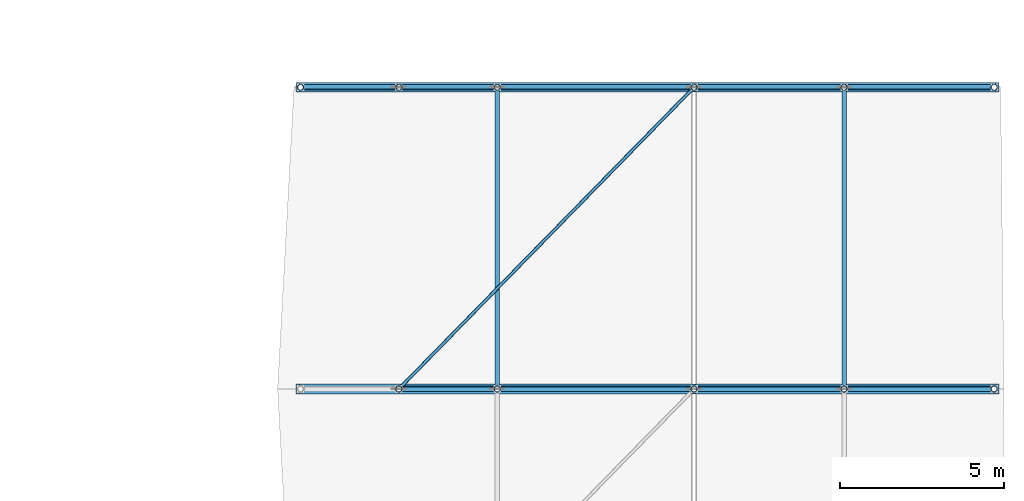
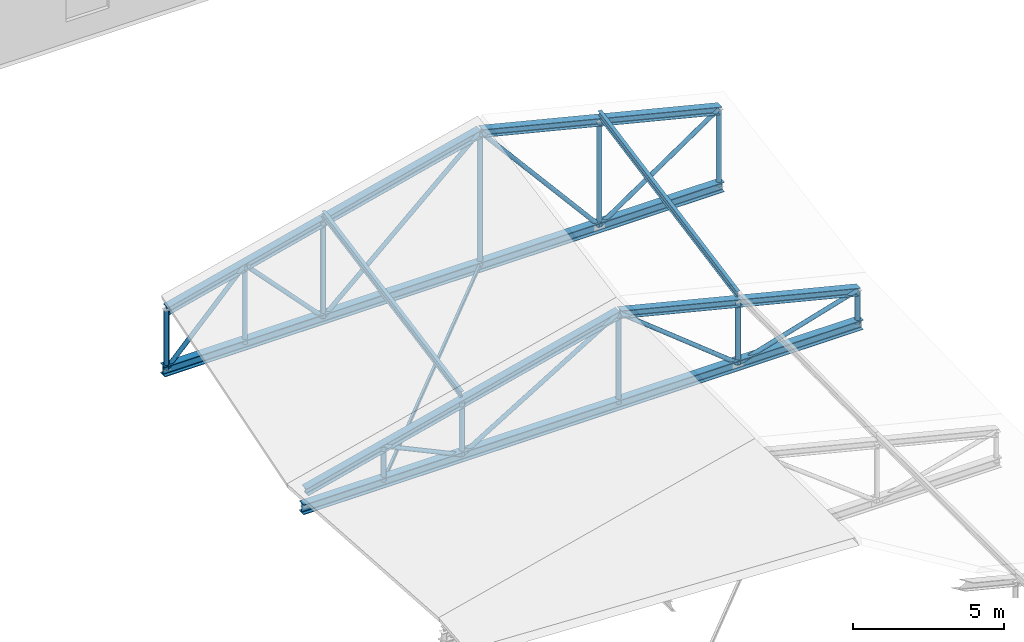
# One storey, part 17 of 33: 27 members, 2 beams.
"""IFC4 building model written with IfcOpenShell, lengths in metres."""

import ifcopenshell
import ifcopenshell.guid

model = None  # the IFC model being written
_history = None  # IfcOwnerHistory: only IFC2X3 demands one
_inside = {}  # id of a spatial element -> (the spatial element, [elements in it])
_under = {}  # id of a project, library or spatial element -> (it, [spatial elements below it])
_declared = {}  # id of a project -> (the project, [libraries it declares])
_typed = {}  # id of a type object -> (the type object, [elements of that type])
_made_of = {}  # id of a material, layer set ... -> (it, [elements and type objects made of it])


def new_model(schema):
    """Start an empty IFC model of exactly this schema.

    Asked for "IFC4X3", IfcOpenShell would pick the latest addendum, in which some entities
    have other attributes; the version numbers below select the first issue.
    IFC2X3 requires an IfcOwnerHistory on every rooted entity: one is made here for all.
    """
    global model, _history
    if schema == "IFC4X3":
        model = ifcopenshell.file(schema_version=(4, 3, 0, 0))
    else:
        model = ifcopenshell.file(schema=schema)
    _inside.clear()
    _under.clear()
    _declared.clear()
    _typed.clear()
    _made_of.clear()
    _history = None
    if model.schema == "IFC2X3":
        org = make("IfcOrganization", Name="unknown")
        user = make(
            "IfcPersonAndOrganization",
            ThePerson=make("IfcPerson", FamilyName="unknown"),
            TheOrganization=org,
        )
        app = make(
            "IfcApplication",
            ApplicationDeveloper=org,
            Version="unknown",
            ApplicationFullName="unknown",
            ApplicationIdentifier="unknown",
        )
        _history = make(
            "IfcOwnerHistory",
            OwningUser=user,
            OwningApplication=app,
            ChangeAction="ADDED",
            CreationDate=0,
        )
    return model


def make(cls, **values):
    """One entity of the class cls with the attributes given. An attribute that is None is left unset."""
    return model.create_entity(
        cls, **{name: value for name, value in values.items() if value is not None}
    )


def rooted(cls, **values):
    """An entity with a GlobalId (a new one), such as an element, a storey or a relation."""
    return make(cls, GlobalId=ifcopenshell.guid.new(), OwnerHistory=_history, **values)


def si_unit(unit_type, name, prefix=None):
    """IfcSIUnit, for example si_unit("LENGTHUNIT", "METRE", prefix="MILLI")."""
    return make("IfcSIUnit", UnitType=unit_type, Prefix=prefix, Name=name)


def assignment(units):
    """IfcUnitAssignment: the units of a project."""
    return None if units is None else make("IfcUnitAssignment", Units=units)


def point(xyz):
    """IfcCartesianPoint."""
    return None if xyz is None else make("IfcCartesianPoint", Coordinates=xyz)


def direction(xyz):
    """IfcDirection."""
    return None if xyz is None else make("IfcDirection", DirectionRatios=xyz)


def frame(location, z_axis=None, x_axis=None):
    """IfcAxis2Placement3D, a coordinate frame: its origin and axes. An axis left out is left unset."""
    return make(
        "IfcAxis2Placement3D",
        Location=point(location),
        Axis=direction(z_axis),
        RefDirection=direction(x_axis),
    )


def frame_2d(location, x_axis=None):
    """IfcAxis2Placement2D, a coordinate frame in the plane: its origin and x axis."""
    return make(
        "IfcAxis2Placement2D", Location=point(location), RefDirection=direction(x_axis)
    )


def origin():
    """The frame at (0, 0, 0) with its axes left unset."""
    return frame((0.0, 0.0, 0.0))


def origin_2d():
    """The frame at (0, 0) in the plane with its x axis left unset."""
    return frame_2d((0.0, 0.0))


def place(relative_to, where):
    """IfcLocalPlacement: puts the frame where relative to a parent placement (None: the world)."""
    return make(
        "IfcLocalPlacement", PlacementRelTo=relative_to, RelativePlacement=where
    )


def context(
    kind, dimensions, precision=None, world=None, true_north=None, identifier=None
):
    """IfcGeometricRepresentationContext, for example the 3D "Model" context."""
    return make(
        "IfcGeometricRepresentationContext",
        ContextIdentifier=identifier,
        ContextType=kind,
        CoordinateSpaceDimension=dimensions,
        Precision=precision,
        WorldCoordinateSystem=world,
        TrueNorth=true_north,
    )


def subcontext(parent, identifier, kind, view, scale=None):
    """IfcGeometricRepresentationSubContext, for example "Body" below "Model"."""
    return make(
        "IfcGeometricRepresentationSubContext",
        ContextIdentifier=identifier,
        ContextType=kind,
        ParentContext=parent,
        TargetScale=scale,
        TargetView=view,
    )


def project(units=None, contexts=None):
    """IfcProject with its units and contexts."""
    return rooted(
        "IfcProject",
        Name="project",
        RepresentationContexts=contexts,
        UnitsInContext=assignment(units),
    )


def spatial(cls, under=None, at=None, **own):
    """A site, building, storey or space (cls), placed at a placement, below another one or the project."""
    s = rooted(cls, ObjectPlacement=at, **own)
    if under is not None:
        _under.setdefault(under.id(), (under, []))[1].append(s)
    return s


def profile(cls, at=None, kind="AREA", **sizes):
    """A parametric profile (cls). Its sizes go by their IFC names, for example OverallWidth=200.0."""
    return make(cls, ProfileType=kind, Position=at, **sizes)


def hollow_rectangle(**sizes):
    """IfcRectangleHollowProfileDef."""
    return profile("IfcRectangleHollowProfileDef", **sizes)


def hollow_circle(**sizes):
    """IfcCircleHollowProfileDef."""
    return profile("IfcCircleHollowProfileDef", **sizes)


def i_section(**sizes):
    """IfcIShapeProfileDef."""
    return profile("IfcIShapeProfileDef", **sizes)


def extrude(swept, where, along, depth):
    """IfcExtrudedAreaSolid: the profile swept, set in the frame where, extruded along a direction by depth."""
    return make(
        "IfcExtrudedAreaSolid",
        SweptArea=swept,
        Position=where,
        ExtrudedDirection=direction(along),
        Depth=depth,
    )


def shape(context_of_items, identifier, shape_type, items):
    """IfcShapeRepresentation: the items that make up one representation, for example the "Body"."""
    return make(
        "IfcShapeRepresentation",
        ContextOfItems=context_of_items,
        RepresentationIdentifier=identifier,
        RepresentationType=shape_type,
        Items=items,
    )


def material(Name=None, Category=None):
    """IfcMaterial."""
    return make("IfcMaterial", Name=Name, Category=Category)


def material_profile(
    of_material, cross_section, Name=None, Category=None, Priority=None
):
    """IfcMaterialProfile: a cross section and its material."""
    return make(
        "IfcMaterialProfile",
        Name=Name,
        Material=of_material,
        Profile=cross_section,
        Priority=Priority,
        Category=Category,
    )


def profile_set(profiles, Name=None, composite=None):
    """IfcMaterialProfileSet."""
    return make(
        "IfcMaterialProfileSet",
        Name=Name,
        MaterialProfiles=profiles,
        CompositeProfile=composite,
    )


def made_of(thing, what):
    """Note that an element or type object is made of a material, layer set ...; save() writes the relation."""
    if what is not None:
        _made_of.setdefault(what.id(), (what, []))[1].append(thing)
    return thing


def type_object(cls, material=None, **own):
    """A type object (cls), such as IfcWallType, which elements share."""
    return made_of(rooted(cls, **own), material)


def element(
    cls,
    number,
    at=None,
    inside=None,
    cuts=None,
    type_object=None,
    material=None,
    context=None,
    identifier="Body",
    shape_type=None,
    held_by="IfcProductDefinitionShape",
    body=None,
    shapes=None,
    **own,
):
    """One element of the class cls, such as IfcWall. Its Tag is "e" and its number.

    at: its placement. inside: the storey or other place that contains it. cuts: it is an
    opening in that element (IfcRelVoidsElement). A single representation is given by context,
    identifier, shape_type and body (its items); several are given by shapes. held_by: the class
    of the entity that holds the representations. save() writes the other relations.
    """
    e = rooted(cls, Tag="e%d" % number, ObjectPlacement=at, **own)
    if body is not None:
        shapes = [shape(context, identifier, shape_type, body)]
    if shapes is not None:
        e.Representation = make(held_by, Representations=shapes)
    if inside is not None:
        _inside.setdefault(inside.id(), (inside, []))[1].append(e)
    if cuts is not None:
        rooted(
            "IfcRelVoidsElement", RelatingBuildingElement=cuts, RelatedOpeningElement=e
        )
    if type_object is not None:
        _typed.setdefault(type_object.id(), (type_object, []))[1].append(e)
    return made_of(e, material)


def aggregate(whole, parts):
    """IfcRelAggregates: a whole, such as a stair, and the parts it consists of."""
    return rooted("IfcRelAggregates", RelatingObject=whole, RelatedObjects=parts)


def save(model, path):
    """Write the relations noted so far, then the file.

    IfcRelAggregates (storeys below a building ...), IfcRelContainedInSpatialStructure (elements
    in a storey), IfcRelDefinesByType, IfcRelAssociatesMaterial and IfcRelDeclares: one each for
    every whole, place, type object, material and project.
    """
    for whole, parts in _under.values():
        aggregate(whole, parts)
    for where, things in _inside.values():
        rooted(
            "IfcRelContainedInSpatialStructure",
            RelatedElements=things,
            RelatingStructure=where,
        )
    for kind, things in _typed.values():
        rooted("IfcRelDefinesByType", RelatedObjects=things, RelatingType=kind)
    for what, things in _made_of.values():
        rooted("IfcRelAssociatesMaterial", RelatedObjects=things, RelatingMaterial=what)
    for by, libraries in _declared.values():
        rooted("IfcRelDeclares", RelatingContext=by, RelatedDefinitions=libraries)
    model.write(path)


model = new_model("IFC4")

# Units and contexts
model_context = context("Model", 3, precision=1e-05, world=origin(), true_north=direction((0.0, 1.0)))
body_context = subcontext(model_context, "Body", "Model", "MODEL_VIEW")
ifc_project = project(units=[si_unit("LENGTHUNIT", "METRE"), si_unit("AREAUNIT", "SQUARE_METRE"), si_unit("VOLUMEUNIT", "CUBIC_METRE"), si_unit("PLANEANGLEUNIT", "RADIAN"), si_unit("MASSUNIT", "GRAM", prefix="KILO")], contexts=[model_context])

# Site, building, storey
site_placement = place(None, origin())
site = spatial("IfcSite", under=ifc_project, at=site_placement, CompositionType="ELEMENT")
building_placement = place(site_placement, origin())
building = spatial("IfcBuilding", under=site, at=building_placement, Name="Bozkorgan Art Gallery", CompositionType="ELEMENT")
storey_placement = place(building_placement, frame((0.0, 0.0, 19.5)))
storey = spatial("IfcBuildingStorey", under=building, at=storey_placement, Name="L04", CompositionType="ELEMENT", Elevation=19.5)

# Beams
ifc_material = material(Name="Steel S355J2", Category="steel")
ifc_material_profile_1 = material_profile(ifc_material, i_section(OverallWidth=0.300048828125, OverallDepth=0.39990234375, WebThickness=0.013427734375, FlangeThickness=0.02392578125, FilletRadius=0.027099609375, at=origin_2d()), Name="HEB 400")
ifc_profile_set_1 = profile_set([ifc_material_profile_1], Name="Steel S355J2")
beam_type = type_object("IfcBeamType", Name="BEAM-TO-32", PredefinedType="BEAM", material=ifc_profile_set_1)
for number, where, z_axis, x_axis, name in (
    (1, (142.860107421875, 38.39990234375, 0.199951171875), (1.0, 0.0, 0.0), (0.0, 1.0, 0.0), "ROOF-V6-MAIN roof truss 5 bottom chord"),
    (2, (142.860107421875, 47.60009765625, 0.199951171875), (1.0, 0.0, 0.0), (0.0, 1.0, 0.0), "ROOF-V6-MAIN roof truss 6 bottom chord"),
):
    element("IfcBeam", number, at=place(storey_placement, frame(where, z_axis=z_axis, x_axis=x_axis)), inside=storey, type_object=beam_type, Name=name, PredefinedType="BEAM", context=body_context, shape_type="SweptSolid", body=[
        extrude(i_section(OverallWidth=0.300048828125, OverallDepth=0.39990234375, WebThickness=0.013427734375, FlangeThickness=0.02392578125, FilletRadius=0.027099609375, at=origin_2d()), origin(), (0.0, 0.0, 1.0), 21.429931640625),
    ])

# Members
ifc_material_profile_2 = material_profile(ifc_material, i_section(OverallWidth=0.135009765625, OverallDepth=0.27001953125, WebThickness=0.006591796875, FlangeThickness=0.01025390625, FilletRadius=0.014892578125, at=origin_2d()), Name="IPE 270")
ifc_profile_set_2 = profile_set([ifc_material_profile_2], Name="Steel S355J2")
member_type_1 = type_object("IfcMemberType", Name="MEMBER-PR-57", PredefinedType="PURLIN", material=ifc_profile_set_2)
for number, where, z_axis, x_axis, name in (
    (3, (149.0, 38.39990234375, 2.640869140625), (0.0, 0.982280568959, 0.187416338255), (-1.0, 0.0, 0.0), "ROOF-V6-MAIN roof purlin 5W"),
    (4, (159.574951171875, 38.39990234375, 2.99609375), (0.0, 0.982275769983, 0.187441488747), (-1.0, 0.0, 0.0), "ROOF-V6-MAIN roof purlin 5E"),
):
    element("IfcMember", number, at=place(storey_placement, frame(where, z_axis=z_axis, x_axis=x_axis)), inside=storey, type_object=member_type_1, Name=name, PredefinedType="PURLIN", context=body_context, shape_type="SweptSolid", body=[
        extrude(i_section(OverallWidth=0.135009765625, OverallDepth=0.27001953125, WebThickness=0.006591796875, FlangeThickness=0.01025390625, FilletRadius=0.014892578125, at=origin_2d()), origin(), (0.0, 0.0, 1.0), 9.3662109375),
    ])
ifc_material_profile_3 = material_profile(ifc_material, i_section(OverallWidth=0.300048828125, OverallDepth=0.31005859375, WebThickness=0.009033203125, FlangeThickness=0.015380859375, FilletRadius=0.027099609375, at=origin_2d()), Name="HEA 320")
ifc_profile_set_3 = profile_set([ifc_material_profile_3], Name="Steel S355J2")
member_type_2 = type_object("IfcMemberType", Name="MEMBER-TC-13", PredefinedType="CHORD", material=ifc_profile_set_3)
member_1_placement = place(storey_placement, frame((143.0, 38.39990234375, 0.85498046875), z_axis=(0.970295587241, 0.0, 0.24192245324), x_axis=(0.0, 1.0, 0.0)))
element("IfcMember", 5, at=member_1_placement, inside=storey, type_object=member_type_2, Name="ROOF-V6-MAIN roof truss 5 west top chord", PredefinedType="CHORD", context=body_context, shape_type="SweptSolid", body=[
    extrude(i_section(OverallWidth=0.300048828125, OverallDepth=0.31005859375, WebThickness=0.009033203125, FlangeThickness=0.015380859375, FilletRadius=0.027099609375, at=origin_2d()), origin(), (0.0, 0.0, 1.0), 12.367431640625),
])
member_2_placement = place(storey_placement, frame((155.0, 38.39990234375, 3.846923828125), z_axis=(0.970297639918, 0.0, -0.241914220273), x_axis=(0.0, 1.0, 0.0)))
element("IfcMember", 6, at=member_2_placement, inside=storey, type_object=member_type_2, Name="ROOF-V6-MAIN roof truss 5 east top chord", PredefinedType="CHORD", context=body_context, shape_type="SweptSolid", body=[
    extrude(i_section(OverallWidth=0.300048828125, OverallDepth=0.31005859375, WebThickness=0.009033203125, FlangeThickness=0.015380859375, FilletRadius=0.027099609375, at=origin_2d()), origin(), (0.0, 0.0, 1.0), 9.429931640625),
])
member_3_placement = place(storey_placement, frame((143.0, 47.60009765625, 2.6103515625), z_axis=(0.970295587241, 0.0, 0.24192245324), x_axis=(0.0, 1.0, 0.0)))
element("IfcMember", 7, at=member_3_placement, inside=storey, type_object=member_type_2, Name="ROOF-V6-MAIN roof truss 6 west top chord", PredefinedType="CHORD", context=body_context, shape_type="SweptSolid", body=[
    extrude(i_section(OverallWidth=0.300048828125, OverallDepth=0.31005859375, WebThickness=0.009033203125, FlangeThickness=0.015380859375, FilletRadius=0.027099609375, at=origin_2d()), origin(), (0.0, 0.0, 1.0), 12.367431640625),
])
member_4_placement = place(storey_placement, frame((155.0, 47.60009765625, 5.602294921875), z_axis=(0.970297639918, 0.0, -0.241914220273), x_axis=(0.0, 1.0, 0.0)))
element("IfcMember", 8, at=member_4_placement, inside=storey, type_object=member_type_2, Name="ROOF-V6-MAIN roof truss 6 east top chord", PredefinedType="CHORD", context=body_context, shape_type="SweptSolid", body=[
    extrude(i_section(OverallWidth=0.300048828125, OverallDepth=0.31005859375, WebThickness=0.009033203125, FlangeThickness=0.015380859375, FilletRadius=0.027099609375, at=origin_2d()), origin(), (0.0, 0.0, 1.0), 9.429931640625),
])
ifc_material_profile_4 = material_profile(ifc_material, hollow_circle(Radius=0.096923828125, WallThickness=0.008056640625, at=origin_2d()), Name="CHS 193.7x8")
ifc_profile_set_4 = profile_set([ifc_material_profile_4], Name="Steel S355J2")
member_type_3 = type_object("IfcMemberType", Name="MEMBER-TP-46", PredefinedType="POST", material=ifc_profile_set_4)
member_5_placement = place(storey_placement, frame((146.0, 38.39990234375, 0.199951171875), z_axis=(0.0, 0.0, 1.0), x_axis=(1.0, 0.0, 0.0)))
element("IfcMember", 9, at=member_5_placement, inside=storey, type_object=member_type_3, Name="ROOF-V6-MAIN roof truss 5 post 1", PredefinedType="POST", context=body_context, shape_type="SweptSolid", body=[
    extrude(hollow_circle(Radius=0.096923828125, WallThickness=0.008056640625, at=origin_2d()), origin(), (0.0, 0.0, 1.0), 1.40283203125),
])
member_6_placement = place(storey_placement, frame((149.0, 38.39990234375, 0.199951171875), z_axis=(0.0, 0.0, 1.0), x_axis=(1.0, 0.0, 0.0)))
element("IfcMember", 10, at=member_6_placement, inside=storey, type_object=member_type_3, Name="ROOF-V6-MAIN roof truss 5 post 2", PredefinedType="POST", context=body_context, shape_type="SweptSolid", body=[
    extrude(hollow_circle(Radius=0.096923828125, WallThickness=0.008056640625, at=origin_2d()), origin(), (0.0, 0.0, 1.0), 2.15087890625),
])
member_7_placement = place(storey_placement, frame((155.0, 38.39990234375, 0.199951171875), z_axis=(0.0, 0.0, 1.0), x_axis=(1.0, 0.0, 0.0)))
element("IfcMember", 11, at=member_7_placement, inside=storey, type_object=member_type_3, Name="ROOF-V6-MAIN roof truss 5 post 3", PredefinedType="POST", context=body_context, shape_type="SweptSolid", body=[
    extrude(hollow_circle(Radius=0.096923828125, WallThickness=0.008056640625, at=origin_2d()), origin(), (0.0, 0.0, 1.0), 3.64697265625),
])
member_8_placement = place(storey_placement, frame((159.574951171875, 38.39990234375, 0.199951171875), z_axis=(0.0, 0.0, 1.0), x_axis=(1.0, 0.0, 0.0)))
element("IfcMember", 12, at=member_8_placement, inside=storey, type_object=member_type_3, Name="ROOF-V6-MAIN roof truss 5 post 4", PredefinedType="POST", context=body_context, shape_type="SweptSolid", body=[
    extrude(hollow_circle(Radius=0.096923828125, WallThickness=0.008056640625, at=origin_2d()), origin(), (0.0, 0.0, 1.0), 2.50634765625),
])
member_9_placement = place(storey_placement, frame((164.14990234375, 38.39990234375, 0.199951171875), z_axis=(0.0, 0.0, 1.0), x_axis=(1.0, 0.0, 0.0)))
element("IfcMember", 13, at=member_9_placement, inside=storey, type_object=member_type_3, Name="ROOF-V6-MAIN roof truss 5 post 5", PredefinedType="POST", context=body_context, shape_type="SweptSolid", body=[
    extrude(hollow_circle(Radius=0.096923828125, WallThickness=0.008056640625, at=origin_2d()), origin(), (0.0, 0.0, 1.0), 1.36572265625),
])
member_10_placement = place(storey_placement, frame((143.0, 47.60009765625, 0.199951171875), z_axis=(0.0, 0.0, 1.0), x_axis=(1.0, 0.0, 0.0)))
element("IfcMember", 14, at=member_10_placement, inside=storey, type_object=member_type_3, Name="ROOF-V6-MAIN roof truss 6 post 0", PredefinedType="POST", context=body_context, shape_type="SweptSolid", body=[
    extrude(hollow_circle(Radius=0.096923828125, WallThickness=0.008056640625, at=origin_2d()), origin(), (0.0, 0.0, 1.0), 2.410400390625),
])
member_11_placement = place(storey_placement, frame((146.0, 47.60009765625, 0.199951171875), z_axis=(0.0, 0.0, 1.0), x_axis=(1.0, 0.0, 0.0)))
element("IfcMember", 15, at=member_11_placement, inside=storey, type_object=member_type_3, Name="ROOF-V6-MAIN roof truss 6 post 1", PredefinedType="POST", context=body_context, shape_type="SweptSolid", body=[
    extrude(hollow_circle(Radius=0.096923828125, WallThickness=0.008056640625, at=origin_2d()), origin(), (0.0, 0.0, 1.0), 3.158447265625),
])
member_12_placement = place(storey_placement, frame((149.0, 47.60009765625, 0.199951171875), z_axis=(0.0, 0.0, 1.0), x_axis=(1.0, 0.0, 0.0)))
element("IfcMember", 16, at=member_12_placement, inside=storey, type_object=member_type_3, Name="ROOF-V6-MAIN roof truss 6 post 2", PredefinedType="POST", context=body_context, shape_type="SweptSolid", body=[
    extrude(hollow_circle(Radius=0.096923828125, WallThickness=0.008056640625, at=origin_2d()), origin(), (0.0, 0.0, 1.0), 3.90625),
])
member_13_placement = place(storey_placement, frame((155.0, 47.60009765625, 0.199951171875), z_axis=(0.0, 0.0, 1.0), x_axis=(1.0, 0.0, 0.0)))
element("IfcMember", 17, at=member_13_placement, inside=storey, type_object=member_type_3, Name="ROOF-V6-MAIN roof truss 6 post 3", PredefinedType="POST", context=body_context, shape_type="SweptSolid", body=[
    extrude(hollow_circle(Radius=0.096923828125, WallThickness=0.008056640625, at=origin_2d()), origin(), (0.0, 0.0, 1.0), 5.40234375),
])
member_14_placement = place(storey_placement, frame((159.574951171875, 47.60009765625, 0.199951171875), z_axis=(0.0, 0.0, 1.0), x_axis=(1.0, 0.0, 0.0)))
element("IfcMember", 18, at=member_14_placement, inside=storey, type_object=member_type_3, Name="ROOF-V6-MAIN roof truss 6 post 4", PredefinedType="POST", context=body_context, shape_type="SweptSolid", body=[
    extrude(hollow_circle(Radius=0.096923828125, WallThickness=0.008056640625, at=origin_2d()), origin(), (0.0, 0.0, 1.0), 4.26171875),
])
member_15_placement = place(storey_placement, frame((164.14990234375, 47.60009765625, 0.199951171875), z_axis=(0.0, 0.0, 1.0), x_axis=(1.0, 0.0, 0.0)))
element("IfcMember", 19, at=member_15_placement, inside=storey, type_object=member_type_3, Name="ROOF-V6-MAIN roof truss 6 post 5", PredefinedType="POST", context=body_context, shape_type="SweptSolid", body=[
    extrude(hollow_circle(Radius=0.096923828125, WallThickness=0.008056640625, at=origin_2d()), origin(), (0.0, 0.0, 1.0), 3.12109375),
])
ifc_material_profile_5 = material_profile(ifc_material, hollow_circle(Radius=0.084228515625, WallThickness=0.008056640625, at=origin_2d()), Name="CHS 168.3x8")
ifc_profile_set_5 = profile_set([ifc_material_profile_5], Name="Steel S355J2")
member_type_4 = type_object("IfcMemberType", Name="MEMBER-TW-40", PredefinedType="BRACE", material=ifc_profile_set_5)
member_16_placement = place(storey_placement, frame((146.0, 38.39990234375, 1.602783203125), z_axis=(0.905855169543, 0.0, -0.42358754917), x_axis=(0.0, 1.0, 0.0)))
element("IfcMember", 20, at=member_16_placement, inside=storey, type_object=member_type_4, Name="ROOF-V6-MAIN roof truss 5 diagonal 2", PredefinedType="BRACE", context=body_context, shape_type="SweptSolid", body=[
    extrude(hollow_circle(Radius=0.084228515625, WallThickness=0.008056640625, at=origin_2d()), origin(), (0.0, 0.0, 1.0), 3.311767578125),
])
member_17_placement = place(storey_placement, frame((149.0, 38.39990234375, 0.199951171875), z_axis=(0.854527388395, 0.0, 0.519406336582), x_axis=(0.0, 1.0, 0.0)))
element("IfcMember", 21, at=member_17_placement, inside=storey, type_object=member_type_4, Name="ROOF-V6-MAIN roof truss 5 diagonal 3", PredefinedType="BRACE", context=body_context, shape_type="SweptSolid", body=[
    extrude(hollow_circle(Radius=0.084228515625, WallThickness=0.008056640625, at=origin_2d()), origin(), (0.0, 0.0, 1.0), 7.021484375),
])
member_18_placement = place(storey_placement, frame((155.0, 38.39990234375, 3.846923828125), z_axis=(0.781950541898, 0.0, -0.623340476806), x_axis=(0.0, 1.0, 0.0)))
element("IfcMember", 22, at=member_18_placement, inside=storey, type_object=member_type_4, Name="ROOF-V6-MAIN roof truss 5 diagonal 4", PredefinedType="BRACE", context=body_context, shape_type="SweptSolid", body=[
    extrude(hollow_circle(Radius=0.084228515625, WallThickness=0.008056640625, at=origin_2d()), origin(), (0.0, 0.0, 1.0), 5.8505859375),
])
member_19_placement = place(storey_placement, frame((159.574951171875, 38.39990234375, 0.199951171875), z_axis=(0.958215248022, 0.0, 0.286048140105), x_axis=(0.0, 1.0, 0.0)))
element("IfcMember", 23, at=member_19_placement, inside=storey, type_object=member_type_4, Name="ROOF-V6-MAIN roof truss 5 diagonal 5", PredefinedType="BRACE", context=body_context, shape_type="SweptSolid", body=[
    extrude(hollow_circle(Radius=0.084228515625, WallThickness=0.008056640625, at=origin_2d()), origin(), (0.0, 0.0, 1.0), 4.7744140625),
])
for number, where, z_axis, x_axis, name in (
    (24, (143.0, 47.60009765625, 0.199951171875), (0.688686122806, 0.0, 0.725059600484), (0.0, 1.0, 0.0), "ROOF-V6-MAIN roof truss 6 diagonal 1"),
    (25, (146.0, 47.60009765625, 3.3583984375), (0.688686122806, 0.0, -0.725059600484), (0.0, 1.0, 0.0), "ROOF-V6-MAIN roof truss 6 diagonal 2"),
):
    element("IfcMember", number, at=place(storey_placement, frame(where, z_axis=z_axis, x_axis=x_axis)), inside=storey, type_object=member_type_4, Name=name, PredefinedType="BRACE", context=body_context, shape_type="SweptSolid", body=[
        extrude(hollow_circle(Radius=0.084228515625, WallThickness=0.008056640625, at=origin_2d()), origin(), (0.0, 0.0, 1.0), 4.356201171875),
    ])
member_20_placement = place(storey_placement, frame((149.0, 47.60009765625, 0.199951171875), z_axis=(0.743149784416, 0.0, 0.669125098859), x_axis=(0.0, 1.0, 0.0)))
element("IfcMember", 26, at=member_20_placement, inside=storey, type_object=member_type_4, Name="ROOF-V6-MAIN roof truss 6 diagonal 3", PredefinedType="BRACE", context=body_context, shape_type="SweptSolid", body=[
    extrude(hollow_circle(Radius=0.084228515625, WallThickness=0.008056640625, at=origin_2d()), origin(), (0.0, 0.0, 1.0), 8.07373046875),
])
member_21_placement = place(storey_placement, frame((155.0, 47.60009765625, 5.602294921875), z_axis=(0.646249835857, 0.0, -0.763125906817), x_axis=(0.0, 1.0, 0.0)))
element("IfcMember", 27, at=member_21_placement, inside=storey, type_object=member_type_4, Name="ROOF-V6-MAIN roof truss 6 diagonal 4", PredefinedType="BRACE", context=body_context, shape_type="SweptSolid", body=[
    extrude(hollow_circle(Radius=0.084228515625, WallThickness=0.008056640625, at=origin_2d()), origin(), (0.0, 0.0, 1.0), 7.079345703125),
])
member_22_placement = place(storey_placement, frame((159.574951171875, 47.60009765625, 0.199951171875), z_axis=(0.82607529093, 0.0, 0.563559769425), x_axis=(0.0, 1.0, 0.0)))
element("IfcMember", 28, at=member_22_placement, inside=storey, type_object=member_type_4, Name="ROOF-V6-MAIN roof truss 6 diagonal 5", PredefinedType="BRACE", context=body_context, shape_type="SweptSolid", body=[
    extrude(hollow_circle(Radius=0.084228515625, WallThickness=0.008056640625, at=origin_2d()), origin(), (0.0, 0.0, 1.0), 5.5380859375),
])
ifc_material_profile_6 = material_profile(ifc_material, hollow_rectangle(XDim=0.10009765625, YDim=0.14990234375, WallThickness=0.008056640625, InnerFilletRadius=0.011962890625, OuterFilletRadius=0.02001953125, at=origin_2d()), Name="RHS 150x100x8")
ifc_profile_set_6 = profile_set([ifc_material_profile_6], Name="Steel S355J2")
member_type_5 = type_object("IfcMemberType", Name="MEMBER-WB-10", PredefinedType="BRACE", material=ifc_profile_set_6)
member_23_placement = place(storey_placement, frame((146.0, 38.39990234375, 0.199951171875), z_axis=(0.699286569512, 0.714841446546, 0.0), x_axis=(-0.714841446546, 0.699286569512, 0.0)))
element("IfcMember", 29, at=member_23_placement, inside=storey, type_object=member_type_5, Name="ROOF-V6-MAIN roof diaphragm wind brace 5", PredefinedType="BRACE", context=body_context, shape_type="SweptSolid", body=[
    extrude(hollow_rectangle(XDim=0.10009765625, YDim=0.14990234375, WallThickness=0.008056640625, InnerFilletRadius=0.011962890625, OuterFilletRadius=0.02001953125, at=origin_2d()), origin(), (0.0, 0.0, 1.0), 12.870361328125),
])

save(model, "model.ifc")
